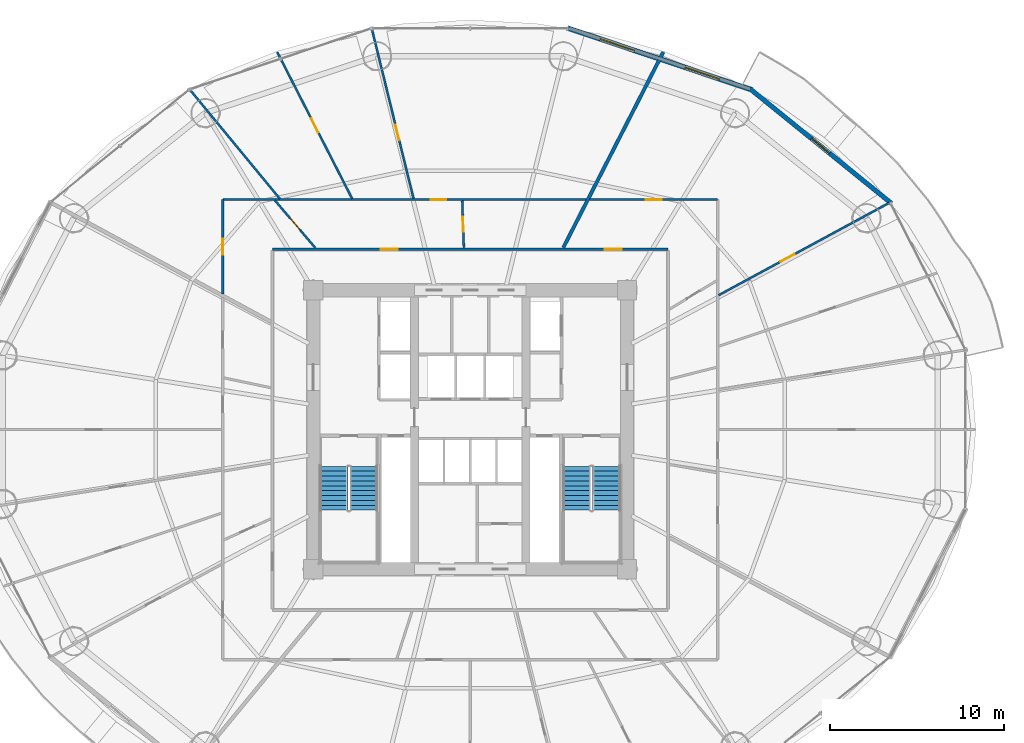
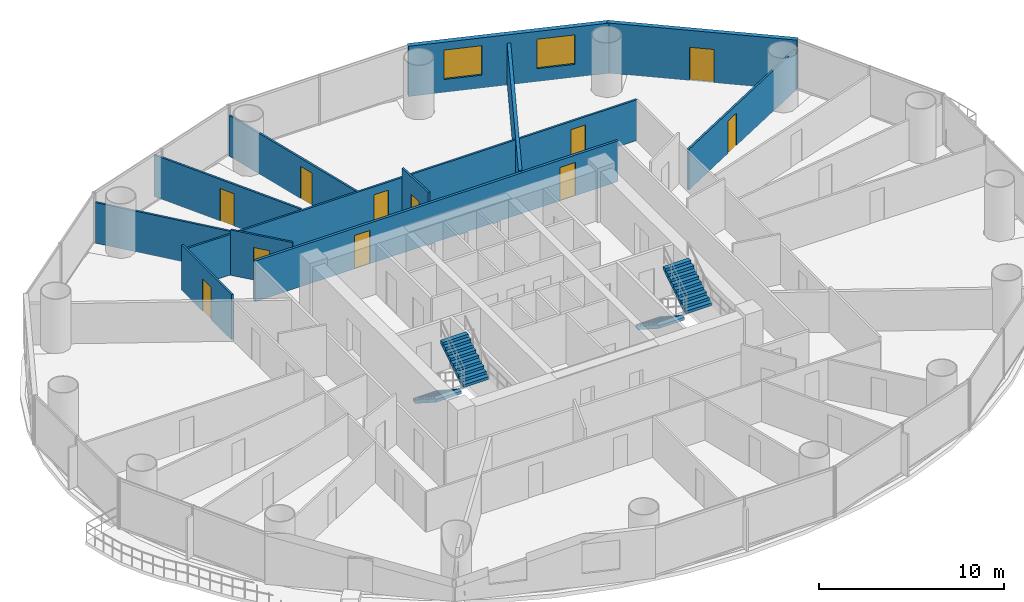
# One storey, part 25 of 29: 13 walls, 11 doors, 4 stair flights, 2 windows, 13 openings, 2 elements without a shape of their own.
"""IFC4 building model written with IfcOpenShell, lengths in metres."""

from ifc_helpers import new_model, si_unit, direction, frame, frame_2d, origin, place, context, subcontext, project, spatial, polyline, rectangle, outline, extrude, source, transform, mapped, material, layer, layer_set, type_object, element, fill, aggregate, save


model = new_model("IFC4")

# Units and contexts
model_context = context("Model", 3, precision=1e-05, world=origin(), true_north=direction((-0.2419218956, 0.970295726276)))
body_context = subcontext(model_context, "Body", "Model", "MODEL_VIEW")
ifc_project = project(units=[si_unit("LENGTHUNIT", "METRE"), si_unit("AREAUNIT", "SQUARE_METRE"), si_unit("VOLUMEUNIT", "CUBIC_METRE"), si_unit("PLANEANGLEUNIT", "RADIAN"), si_unit("MASSUNIT", "GRAM", prefix="KILO")], contexts=[model_context])

# Site, building, storey
site_placement = place(None, origin())
site = spatial("IfcSite", under=ifc_project, at=site_placement, CompositionType="ELEMENT")
building_placement = place(site_placement, origin())
building = spatial("IfcBuilding", under=site, at=building_placement, Name="Cobrevalo Terracotta Tower", CompositionType="ELEMENT")
storey_placement = place(building_placement, frame((0.0, 0.0, 45.60009765625)))
storey = spatial("IfcBuildingStorey", under=building, at=storey_placement, Name="L11", CompositionType="ELEMENT", Elevation=45.60009765625)

# Wall, openings, doors
ifc_material_1 = material(Name="Gypsum board on steel stud", Category="steel")
ifc_layer_1 = layer(ifc_material_1, 0.159912109375)
ifc_layer_set_1 = layer_set([ifc_layer_1], Name="Gypsum board on steel stud")
wall_type_1 = type_object("IfcWallType", Name="Fire-rated corridor acoustic partition wall 160 mm", PredefinedType="PARTITIONING", material=ifc_layer_set_1)
wall_1_placement = place(storey_placement, frame((26.64501953125, 37.155029296875, 0.0), z_axis=(0.0, 0.0, 1.0), x_axis=(1.0, 0.0, 0.0)))
wall_1 = element("IfcWall", 1, at=wall_1_placement, inside=storey, type_object=wall_type_1, Name="L11 interior partition IW-L11-COR-N", PredefinedType="PARTITIONING", context=body_context, shape_type="SweptSolid", body=[
    extrude(rectangle(XDim=22.7099609375, YDim=0.159912109375, at=frame_2d((11.35498046875, 0.0))), origin(), (0.0, 0.0, 1.0), 2.68798828125),
])
opening_1_placement = place(wall_1_placement, frame((19.075439453125, 0.0, 0.0)))
opening_1 = element("IfcOpeningElement", 2, at=opening_1_placement, cuts=wall_1, Name="Opening ID-05", PredefinedType="OPENING", context=body_context, shape_type="SweptSolid", body=[
    extrude(rectangle(XDim=0.97998046875, YDim=2.199951171875, at=frame_2d((0.489990234375, 1.10009765625))), frame((0.0, 0.08984375, 0.0), z_axis=(0.0, -1.0, 0.0), x_axis=(1.0, 0.0, 0.0)), (0.0, 0.0, 1.0), 0.179931640625),
])
opening_2_placement = place(wall_1_placement, frame((6.221435546875, 0.0, 0.0)))
opening_2 = element("IfcOpeningElement", 3, at=opening_2_placement, cuts=wall_1, Name="Opening ID-05", PredefinedType="OPENING", context=body_context, shape_type="SweptSolid", body=[
    extrude(rectangle(XDim=0.97998046875, YDim=2.199951171875, at=frame_2d((0.489990234375, 1.10009765625))), frame((0.0, 0.08984375, 0.0), z_axis=(0.0, -1.0, 0.0), x_axis=(1.0, 0.0, 0.0)), (0.0, 0.0, 1.0), 0.179931640625),
])
ifc_material_2 = material(Name="Solid hardwood timber", Category="wood")
door_type_1 = type_object("IfcDoorType", Name="Residence entrance fire-rated acoustic timber door 980x2200 EI 60", OperationType="NOTDEFINED", PredefinedType="DOOR", material=ifc_material_2)
shared_shape_1 = source(origin(), body_context, "Body", "SweptSolid", [
    extrude(rectangle(XDim=0.97998046875, YDim=2.199951171875, at=frame_2d((0.489990234375, 1.10009765625))), frame((0.0, 0.02490234375, 0.0), z_axis=(0.0, -1.0, 0.0), x_axis=(1.0, 0.0, 0.0)), (0.0, 0.0, 1.0), 0.050048828125),
])
door_1_placement = place(opening_1_placement, frame((0.97998046875, 0.0, 0.0), z_axis=(0.0, 0.0, 1.0), x_axis=(-1.0, 0.0, 0.0)))
door_1 = element("IfcDoor", 4, at=door_1_placement, inside=storey, type_object=door_type_1, Name="Flat L11A fire-rated apartment entrance door", OperationType="SINGLE_SWING_LEFT", OverallHeight=2.199951171875, OverallWidth=0.97998046875, PredefinedType="DOOR", context=body_context, shape_type="MappedRepresentation", body=[
    mapped(shared_shape_1, transform((0.0, 0.0, 0.0), scale=1.0)),
])
fill(opening_1, door_1)
door_2_placement = place(opening_2_placement, origin())
door_2 = element("IfcDoor", 5, at=door_2_placement, inside=storey, type_object=door_type_1, Name="Flat L11B fire-rated apartment entrance door", OperationType="SINGLE_SWING_RIGHT", OverallHeight=2.199951171875, OverallWidth=0.97998046875, PredefinedType="DOOR", context=body_context, shape_type="MappedRepresentation", body=[
    mapped(shared_shape_1, transform((0.0, 0.0, 0.0), scale=1.0)),
])
fill(opening_2, door_2)

# Wall
ifc_material_3 = material(Name="Autoclaved aerated concrete block", Category="concrete")
ifc_layer_2 = layer(ifc_material_3, 0.199951171875)
ifc_layer_set_2 = layer_set([ifc_layer_2], Name="Autoclaved aerated concrete block")
wall_type_2 = type_object("IfcWallType", Name="Fire-rated stair, shaft & demising masonry wall 200 mm", PredefinedType="PARTITIONING", material=ifc_layer_set_2)
wall_2_placement = place(storey_placement, frame((43.334716796875, 37.23681640625, 0.0), z_axis=(0.0, 0.0, 1.0), x_axis=(0.455148959499, 0.890415310216, 0.0)))
element("IfcWall", 6, at=wall_2_placement, inside=storey, type_object=wall_type_2, Name="L11 interior partition IW-L11-DEM-2", PredefinedType="PARTITIONING", context=body_context, shape_type="SweptSolid", body=[
    extrude(rectangle(XDim=12.598388671875, YDim=0.199951171875, at=frame_2d((6.29931640625, 0.0))), origin(), (0.0, 0.0, 1.0), 2.761962890625),
])

# Wall, openings, windows
ifc_layer_3 = layer(ifc_material_3, 0.280029296875)
ifc_layer_set_3 = layer_set([ifc_layer_3], Name="Autoclaved aerated concrete block")
wall_type_3 = type_object("IfcWallType", Name="Insulated tower spandrel & pier wall 280 mm with terracotta rainscreen", PredefinedType="SOLIDWALL", material=ifc_layer_set_3)
wall_3_placement = place(storey_placement, frame((54.170654296875, 46.2890625, 0.0), z_axis=(0.0, 0.0, 1.0), x_axis=(-0.948041258496, 0.318147406385, 0.0)))
wall_3 = element("IfcWall", 7, at=wall_3_placement, inside=storey, type_object=wall_type_3, Name="L11 terracotta rainscreen pier wall S03", PredefinedType="SOLIDWALL", context=body_context, shape_type="SweptSolid", body=[
    extrude(rectangle(XDim=11.17529296875, YDim=0.280029296875, at=frame_2d((5.587646484375, 0.0))), origin(), (0.0, 0.0, 1.0), 3.31982421875),
])
opening_3_placement = place(wall_3_placement, frame((1.96728515625, 0.0, 0.85009765625)))
opening_3 = element("IfcOpeningElement", 8, at=opening_3_placement, cuts=wall_3, Name="Opening WN-10", PredefinedType="OPENING", context=body_context, shape_type="SweptSolid", body=[
    extrude(rectangle(XDim=2.10009765625, YDim=1.949951171875, at=frame_2d((1.050048828125, 0.97509765625))), frame((0.0, 0.14990234375, 0.0), z_axis=(0.0, -1.0, 0.0), x_axis=(1.0, 0.0, 0.0)), (0.0, 0.0, 1.0), 0.300048828125),
])
opening_4_placement = place(wall_3_placement, frame((7.108154296875, 0.0, 0.85009765625)))
opening_4 = element("IfcOpeningElement", 9, at=opening_4_placement, cuts=wall_3, Name="Opening WN-10", PredefinedType="OPENING", context=body_context, shape_type="SweptSolid", body=[
    extrude(rectangle(XDim=2.10009765625, YDim=1.949951171875, at=frame_2d((1.050048828125, 0.97509765625))), frame((0.0, 0.14990234375, 0.0), z_axis=(0.0, -1.0, 0.0), x_axis=(1.0, 0.0, 0.0)), (0.0, 0.0, 1.0), 0.300048828125),
])
ifc_material_4 = material(Name="Solar-control low-E double glazing", Category="glass")
window_type = type_object("IfcWindowType", Name="Wide panoramic low-E aluminium window 2100x1950", PartitioningType="SINGLE_PANEL", PredefinedType="WINDOW", material=ifc_material_4)
shared_shape_2 = source(origin(), body_context, "Body", "SweptSolid", [
    extrude(rectangle(XDim=2.10009765625, YDim=1.949951171875, at=frame_2d((1.050048828125, 0.97509765625))), frame((0.0, 0.030029296875, 0.0), z_axis=(0.0, -1.0, 0.0), x_axis=(1.0, 0.0, 0.0)), (0.0, 0.0, 1.0), 0.06005859375),
])
window_1_placement = place(opening_3_placement, origin())
window_1 = element("IfcWindow", 10, at=window_1_placement, inside=storey, type_object=window_type, Name="L11 suite window S03A", OverallHeight=1.949951171875, OverallWidth=2.10009765625, PartitioningType="SINGLE_PANEL", PredefinedType="WINDOW", context=body_context, shape_type="MappedRepresentation", body=[
    mapped(shared_shape_2, transform((0.0, 0.0, 0.0), scale=1.0)),
])
fill(opening_3, window_1)
window_2_placement = place(opening_4_placement, origin())
window_2 = element("IfcWindow", 11, at=window_2_placement, inside=storey, type_object=window_type, Name="L11 suite window S03B", OverallHeight=1.949951171875, OverallWidth=2.10009765625, PartitioningType="SINGLE_PANEL", PredefinedType="WINDOW", context=body_context, shape_type="MappedRepresentation", body=[
    mapped(shared_shape_2, transform((0.0, 0.0, 0.0), scale=1.0)),
])
fill(opening_4, window_2)

# Wall, opening, door
ifc_layer_4 = layer(ifc_material_3, 0.260009765625)
ifc_layer_set_4 = layer_set([ifc_layer_4], Name="Autoclaved aerated concrete block")
wall_type_4 = type_object("IfcWallType", Name="Recessed balcony loggia insulated exterior wall 260 mm", PredefinedType="SOLIDWALL", material=ifc_layer_set_4)
wall_4_placement = place(storey_placement, frame((62.14990234375, 39.788818359375, 0.0), z_axis=(0.0, 0.0, 1.0), x_axis=(-0.777005352078, 0.62949398952, 0.0)))
wall_4 = element("IfcWall", 12, at=wall_4_placement, inside=storey, type_object=wall_type_4, Name="L11 balcony loggia wall S02", PredefinedType="SOLIDWALL", context=body_context, shape_type="SweptSolid", body=[
    extrude(rectangle(XDim=10.44677734375, YDim=0.260009765625, at=frame_2d((5.223388671875, 0.0))), origin(), (0.0, 0.0, 1.0), 3.31982421875),
])
opening_5_placement = place(wall_4_placement, frame((4.54833984375, 0.0, 0.0)))
opening_5 = element("IfcOpeningElement", 13, at=opening_5_placement, cuts=wall_4, Name="Opening ED-05", PredefinedType="OPENING", context=body_context, shape_type="SweptSolid", body=[
    extrude(rectangle(XDim=1.35009765625, YDim=2.199951171875, at=frame_2d((0.675048828125, 1.10009765625))), frame((0.0, 0.14013671875, 0.0), z_axis=(0.0, -1.0, 0.0), x_axis=(1.0, 0.0, 0.0)), (0.0, 0.0, 1.0), 0.280029296875),
])
ifc_material_5 = material(Name="Anodized aluminium and laminated glass", Category="aluminium")
door_type_2 = type_object("IfcDoorType", Name="Suite balcony acoustic glazed terrace door 1350x2200", OperationType="NOTDEFINED", PredefinedType="DOOR", material=ifc_material_5)
shared_shape_3 = source(origin(), body_context, "Body", "SweptSolid", [
    extrude(rectangle(XDim=1.35009765625, YDim=2.199951171875, at=frame_2d((0.675048828125, 1.10009765625))), frame((0.0, 0.02490234375, 0.0), z_axis=(0.0, -1.0, 0.0), x_axis=(1.0, 0.0, 0.0)), (0.0, 0.0, 1.0), 0.050048828125),
])
door_3_placement = place(opening_5_placement, frame((1.35009765625, 0.0, 0.0), z_axis=(0.0, 0.0, 1.0), x_axis=(-1.0, 0.0, 0.0)))
door_3 = element("IfcDoor", 14, at=door_3_placement, inside=storey, type_object=door_type_2, Name="L11 glazed balcony terrace door 1", OperationType="SINGLE_SWING_LEFT", OverallHeight=2.199951171875, OverallWidth=1.35009765625, PredefinedType="DOOR", context=body_context, shape_type="MappedRepresentation", body=[
    mapped(shared_shape_3, transform((0.0, 0.0, 0.0), scale=1.0)),
])
fill(opening_5, door_3)

ifc_layer_5 = layer(ifc_material_1, 0.1201171875)
ifc_layer_set_5 = layer_set([ifc_layer_5], Name="Gypsum board on steel stud")
wall_type_5 = type_object("IfcWallType", Name="Residential internal acoustic stud partition 120 mm", PredefinedType="PARTITIONING", material=ifc_layer_set_5)
wall_5_placement = place(storey_placement, frame((44.8466796875, 39.9951171875, 0.0), z_axis=(0.0, 0.0, 1.0), x_axis=(1.0, 0.0, 0.0)))
wall_5 = element("IfcWall", 15, at=wall_5_placement, inside=storey, type_object=wall_type_5, Name="L11 interior partition IW-L11-U1-RING0_0", PredefinedType="PARTITIONING", context=body_context, shape_type="SweptSolid", body=[
    extrude(rectangle(XDim=7.348388671875, YDim=0.1201171875, at=frame_2d((3.67431640625, 0.0))), origin(), (0.0, 0.0, 1.0), 2.68798828125),
])
opening_6_placement = place(wall_5_placement, frame((3.22412109375, 0.0, 0.0)))
opening_6 = element("IfcOpeningElement", 16, at=opening_6_placement, cuts=wall_5, Name="Opening ID-12", PredefinedType="OPENING", context=body_context, shape_type="SweptSolid", body=[
    extrude(rectangle(XDim=0.89990234375, YDim=2.14990234375, at=frame_2d((0.449951171875, 1.074951171875))), frame((0.0, 0.070068359375, 0.0), z_axis=(0.0, -1.0, 0.0), x_axis=(1.0, 0.0, 0.0)), (0.0, 0.0, 1.0), 0.14013671875),
])
ifc_material_6 = material(Name="Engineered timber", Category="wood")
door_type_3 = type_object("IfcDoorType", Name="Internal residence & suite timber door 900x2150", OperationType="NOTDEFINED", PredefinedType="DOOR", material=ifc_material_6)
shared_shape_4 = source(origin(), body_context, "Body", "SweptSolid", [
    extrude(rectangle(XDim=0.89990234375, YDim=2.14990234375, at=frame_2d((0.449951171875, 1.074951171875))), frame((0.0, 0.02490234375, 0.0), z_axis=(0.0, -1.0, 0.0), x_axis=(1.0, 0.0, 0.0)), (0.0, 0.0, 1.0), 0.050048828125),
])
door_4_placement = place(opening_6_placement, origin())
door_4 = element("IfcDoor", 17, at=door_4_placement, inside=storey, type_object=door_type_3, Name="Flat L11A Penthouse Family Lounge internal door", OperationType="SINGLE_SWING_LEFT", OverallHeight=2.14990234375, OverallWidth=0.89990234375, PredefinedType="DOOR", context=body_context, shape_type="MappedRepresentation", body=[
    mapped(shared_shape_4, transform((0.0, 0.0, 0.0), scale=1.0)),
])
fill(opening_6, door_4)

wall_6_placement = place(storey_placement, frame((52.24951171875, 34.515380859375, 0.0), z_axis=(0.0, 0.0, 1.0), x_axis=(0.879370672984, 0.476137815654, 0.0)))
wall_6 = element("IfcWall", 18, at=wall_6_placement, inside=storey, type_object=wall_type_5, Name="L11 interior partition IW-L11-U1-ORAD3", PredefinedType="PARTITIONING", context=body_context, shape_type="SweptSolid", body=[
    extrude(rectangle(XDim=11.094482421875, YDim=0.1201171875, at=frame_2d((5.54736328125, 0.0))), origin(), (0.0, 0.0, 1.0), 2.68798828125),
])
opening_7_placement = place(wall_6_placement, frame((4.0341796875, 0.0, 0.0)))
opening_7 = element("IfcOpeningElement", 19, at=opening_7_placement, cuts=wall_6, Name="Opening ID-12", PredefinedType="OPENING", context=body_context, shape_type="SweptSolid", body=[
    extrude(rectangle(XDim=0.89990234375, YDim=2.14990234375, at=frame_2d((0.449951171875, 1.074951171875))), frame((0.0, 0.070068359375, 0.0), z_axis=(0.0, -1.0, 0.0), x_axis=(1.0, 0.0, 0.0)), (0.0, 0.0, 1.0), 0.14013671875),
])
door_5_placement = place(opening_7_placement, frame((0.89990234375, 0.0, 0.0), z_axis=(0.0, 0.0, 1.0), x_axis=(-1.0, 0.0, 0.0)))
door_5 = element("IfcDoor", 20, at=door_5_placement, inside=storey, type_object=door_type_3, Name="Flat L11A Principal Guest Bedroom internal door", OperationType="SINGLE_SWING_RIGHT", OverallHeight=2.14990234375, OverallWidth=0.89990234375, PredefinedType="DOOR", context=body_context, shape_type="MappedRepresentation", body=[
    mapped(shared_shape_4, transform((0.0, 0.0, 0.0), scale=1.0)),
])
fill(opening_7, door_5)

wall_7_placement = place(storey_placement, frame((23.804931640625, 34.587890625, 0.0), z_axis=(0.0, 0.0, 1.0), x_axis=(0.0, 1.0, 0.0)))
wall_7 = element("IfcWall", 21, at=wall_7_placement, inside=storey, type_object=wall_type_5, Name="L11 interior partition IW-L11-U2-RING0_0", PredefinedType="PARTITIONING", context=body_context, shape_type="SweptSolid", body=[
    extrude(rectangle(XDim=5.4072265625, YDim=0.1201171875, at=frame_2d((2.70361328125, 0.0))), origin(), (0.0, 0.0, 1.0), 2.9990234375),
])
opening_8_placement = place(wall_7_placement, frame((2.25341796875, 0.0, 0.0)))
opening_8 = element("IfcOpeningElement", 22, at=opening_8_placement, cuts=wall_7, Name="Opening ID-12", PredefinedType="OPENING", context=body_context, shape_type="SweptSolid", body=[
    extrude(rectangle(XDim=0.89990234375, YDim=2.14990234375, at=frame_2d((0.449951171875, 1.074951171875))), frame((0.0, 0.070068359375, 0.0), z_axis=(0.0, -1.0, 0.0), x_axis=(1.0, 0.0, 0.0)), (0.0, 0.0, 1.0), 0.14013671875),
])
door_6_placement = place(opening_8_placement, origin())
door_6 = element("IfcDoor", 23, at=door_6_placement, inside=storey, type_object=door_type_3, Name="Flat L11B Penthouse Family Lounge internal door", OperationType="SINGLE_SWING_RIGHT", OverallHeight=2.14990234375, OverallWidth=0.89990234375, PredefinedType="DOOR", context=body_context, shape_type="MappedRepresentation", body=[
    mapped(shared_shape_4, transform((0.0, 0.0, 0.0), scale=1.0)),
])
fill(opening_8, door_6)

wall_8_placement = place(storey_placement, frame((23.804931640625, 39.9951171875, 0.0), z_axis=(0.0, 0.0, 1.0), x_axis=(1.0, 0.0, 0.0)))
wall_8 = element("IfcWall", 24, at=wall_8_placement, inside=storey, type_object=wall_type_5, Name="L11 interior partition IW-L11-U2-RING1_0", PredefinedType="PARTITIONING", context=body_context, shape_type="SweptSolid", body=[
    extrude(rectangle(XDim=20.837890625, YDim=0.1201171875, at=frame_2d((10.4189453125, 0.0))), origin(), (0.0, 0.0, 1.0), 2.68798828125),
])
opening_9_placement = place(wall_8_placement, frame((11.93115234375, 0.0, 0.0)))
opening_9 = element("IfcOpeningElement", 25, at=opening_9_placement, cuts=wall_8, Name="Opening ID-12", PredefinedType="OPENING", context=body_context, shape_type="SweptSolid", body=[
    extrude(rectangle(XDim=0.89990234375, YDim=2.14990234375, at=frame_2d((0.449951171875, 1.074951171875))), frame((0.0, 0.070068359375, 0.0), z_axis=(0.0, -1.0, 0.0), x_axis=(1.0, 0.0, 0.0)), (0.0, 0.0, 1.0), 0.14013671875),
])
door_7_placement = place(opening_9_placement, origin())
door_7 = element("IfcDoor", 26, at=door_7_placement, inside=storey, type_object=door_type_3, Name="Flat L11B Penthouse Living and Dining Room internal door", OperationType="SINGLE_SWING_RIGHT", OverallHeight=2.14990234375, OverallWidth=0.89990234375, PredefinedType="DOOR", context=body_context, shape_type="MappedRepresentation", body=[
    mapped(shared_shape_4, transform((0.0, 0.0, 0.0), scale=1.0)),
])
fill(opening_9, door_7)

wall_9_placement = place(storey_placement, frame((34.746337890625, 40.05517578125, 0.0), z_axis=(0.0, 0.0, 1.0), x_axis=(-0.238386209483, 0.971170435675, 0.0)))
wall_9 = element("IfcWall", 27, at=wall_9_placement, inside=storey, type_object=wall_type_5, Name="L11 interior partition IW-L11-U2-ORAD1", PredefinedType="PARTITIONING", context=body_context, shape_type="SweptSolid", body=[
    extrude(rectangle(XDim=9.97314453125, YDim=0.1201171875, at=frame_2d((4.986572265625, 0.0))), origin(), (0.0, 0.0, 1.0), 2.68798828125),
])
opening_10_placement = place(wall_9_placement, frame((3.46142578125, 0.0, 0.0)))
opening_10 = element("IfcOpeningElement", 28, at=opening_10_placement, cuts=wall_9, Name="Opening ID-12", PredefinedType="OPENING", context=body_context, shape_type="SweptSolid", body=[
    extrude(rectangle(XDim=0.89990234375, YDim=2.14990234375, at=frame_2d((0.449951171875, 1.074951171875))), frame((0.0, 0.070068359375, 0.0), z_axis=(0.0, -1.0, 0.0), x_axis=(1.0, 0.0, 0.0)), (0.0, 0.0, 1.0), 0.14013671875),
])
door_8_placement = place(opening_10_placement, origin())
door_8 = element("IfcDoor", 29, at=door_8_placement, inside=storey, type_object=door_type_3, Name="Flat L11B Master Bedroom internal door", OperationType="SINGLE_SWING_LEFT", OverallHeight=2.14990234375, OverallWidth=0.89990234375, PredefinedType="DOOR", context=body_context, shape_type="MappedRepresentation", body=[
    mapped(shared_shape_4, transform((0.0, 0.0, 0.0), scale=1.0)),
])
fill(opening_10, door_8)

wall_10_placement = place(storey_placement, frame((31.22705078125, 40.05029296875, 0.0), z_axis=(0.0, 0.0, 1.0), x_axis=(-0.455142050367, 0.890418841887, 0.0)))
wall_10 = element("IfcWall", 30, at=wall_10_placement, inside=storey, type_object=wall_type_5, Name="L11 interior partition IW-L11-U2-ORAD2M1", PredefinedType="PARTITIONING", context=body_context, shape_type="SweptSolid", body=[
    extrude(rectangle(XDim=9.4384765625, YDim=0.1201171875, at=frame_2d((4.71923828125, 0.0))), origin(), (0.0, 0.0, 1.0), 2.761962890625),
])
opening_11_placement = place(wall_10_placement, frame((4.269287109375, 0.0, 0.0)))
opening_11 = element("IfcOpeningElement", 31, at=opening_11_placement, cuts=wall_10, Name="Opening ID-12", PredefinedType="OPENING", context=body_context, shape_type="SweptSolid", body=[
    extrude(rectangle(XDim=0.89990234375, YDim=2.14990234375, at=frame_2d((0.449951171875, 1.074951171875))), frame((0.0, 0.070068359375, 0.0), z_axis=(0.0, -1.0, 0.0), x_axis=(1.0, 0.0, 0.0)), (0.0, 0.0, 1.0), 0.14013671875),
])
door_9_placement = place(opening_11_placement, origin())
door_9 = element("IfcDoor", 32, at=door_9_placement, inside=storey, type_object=door_type_3, Name="Flat L11B Principal Guest Bedroom internal door", OperationType="SINGLE_SWING_RIGHT", OverallHeight=2.14990234375, OverallWidth=0.89990234375, PredefinedType="DOOR", context=body_context, shape_type="MappedRepresentation", body=[
    mapped(shared_shape_4, transform((0.0, 0.0, 0.0), scale=1.0)),
])
fill(opening_11, door_9)

# Wall
wall_11_placement = place(storey_placement, frame((27.08056640625, 40.042724609375, 0.0), z_axis=(0.0, 0.0, 1.0), x_axis=(-0.636193310573, 0.771529695852, 0.0)))
element("IfcWall", 33, at=wall_11_placement, inside=storey, type_object=wall_type_5, Name="L11 interior partition IW-L11-U2-ORAD2", PredefinedType="PARTITIONING", context=body_context, shape_type="SweptSolid", body=[
    extrude(rectangle(XDim=8.0439453125, YDim=0.1201171875, at=frame_2d((4.02197265625, 0.0))), origin(), (0.0, 0.0, 1.0), 2.68798828125),
])

# Wall, opening, door
wall_12_placement = place(storey_placement, frame((37.634765625, 37.237060546875, 0.0), z_axis=(0.0, 0.0, 1.0), x_axis=(-0.03493293564, 0.999389658746, 0.0)))
wall_12 = element("IfcWall", 34, at=wall_12_placement, inside=storey, type_object=wall_type_5, Name="L11 interior partition IW-L11-U2-IRAD1", PredefinedType="PARTITIONING", context=body_context, shape_type="SweptSolid", body=[
    extrude(rectangle(XDim=2.69775390625, YDim=0.1201171875, at=frame_2d((1.348876953125, 0.0))), origin(), (0.0, 0.0, 1.0), 3.31982421875),
])
opening_12_placement = place(wall_12_placement, frame((0.918701171875, 0.0, 0.0)))
opening_12 = element("IfcOpeningElement", 35, at=opening_12_placement, cuts=wall_12, Name="Opening ID-19", PredefinedType="OPENING", context=body_context, shape_type="SweptSolid", body=[
    extrude(rectangle(XDim=0.860107421875, YDim=2.14990234375, at=frame_2d((0.43017578125, 1.074951171875))), frame((0.0, 0.070068359375, 0.0), z_axis=(0.0, -1.0, 0.0), x_axis=(1.0, 0.0, 0.0)), (0.0, 0.0, 1.0), 0.14013671875),
])
ifc_material_7 = material(Name="Moisture-sealed timber", Category="wood")
door_type_4 = type_object("IfcDoorType", Name="Suite bathroom internal timber door 860x2150", OperationType="NOTDEFINED", PredefinedType="DOOR", material=ifc_material_7)
shared_shape_5 = source(origin(), body_context, "Body", "SweptSolid", [
    extrude(rectangle(XDim=0.860107421875, YDim=2.14990234375, at=frame_2d((0.43017578125, 1.074951171875))), frame((0.0, 0.02490234375, 0.0), z_axis=(0.0, -1.0, 0.0), x_axis=(1.0, 0.0, 0.0)), (0.0, 0.0, 1.0), 0.050048828125),
])
door_10_placement = place(opening_12_placement, frame((0.860107421875, 0.0, 0.0), z_axis=(0.0, 0.0, 1.0), x_axis=(-1.0, 0.0, 0.0)))
door_10 = element("IfcDoor", 36, at=door_10_placement, inside=storey, type_object=door_type_4, Name="Flat L11B Primary Bathroom internal door", OperationType="SINGLE_SWING_LEFT", OverallHeight=2.14990234375, OverallWidth=0.860107421875, PredefinedType="DOOR", context=body_context, shape_type="MappedRepresentation", body=[
    mapped(shared_shape_5, transform((0.0, 0.0, 0.0), scale=1.0)),
])
fill(opening_12, door_10)

wall_13_placement = place(storey_placement, frame((29.108154296875, 37.236572265625, 0.0), z_axis=(0.0, 0.0, 1.0), x_axis=(-0.648553247009, 0.761169288526, 0.0)))
wall_13 = element("IfcWall", 37, at=wall_13_placement, inside=storey, type_object=wall_type_5, Name="L11 interior partition IW-L11-U2-IRAD2", PredefinedType="PARTITIONING", context=body_context, shape_type="SweptSolid", body=[
    extrude(rectangle(XDim=3.561767578125, YDim=0.1201171875, at=frame_2d((1.78076171875, 0.0))), origin(), (0.0, 0.0, 1.0), 2.9990234375),
])
opening_13_placement = place(wall_13_placement, frame((1.330810546875, 0.0, 0.0)))
opening_13 = element("IfcOpeningElement", 38, at=opening_13_placement, cuts=wall_13, Name="Opening ID-12", PredefinedType="OPENING", context=body_context, shape_type="SweptSolid", body=[
    extrude(rectangle(XDim=0.89990234375, YDim=2.14990234375, at=frame_2d((0.449951171875, 1.074951171875))), frame((0.0, 0.070068359375, 0.0), z_axis=(0.0, -1.0, 0.0), x_axis=(1.0, 0.0, 0.0)), (0.0, 0.0, 1.0), 0.14013671875),
])
door_11_placement = place(opening_13_placement, origin())
door_11 = element("IfcDoor", 39, at=door_11_placement, inside=storey, type_object=door_type_3, Name="Flat L11B Kitchen internal door", OperationType="SINGLE_SWING_LEFT", OverallHeight=2.14990234375, OverallWidth=0.89990234375, PredefinedType="DOOR", context=body_context, shape_type="MappedRepresentation", body=[
    mapped(shared_shape_4, transform((0.0, 0.0, 0.0), scale=1.0)),
])
fill(opening_13, door_11)

# Stair, stair flights
ifc_material_8 = material(Name="Concrete C50", Category="concrete")
stair_type = type_object("IfcStairType", Name="Core protected escape dogleg stair 1600", PredefinedType="HALF_TURN_STAIR", material=ifc_material_8)
stair_1_placement = place(storey_placement, origin())
stair_1 = element("IfcStair", 40, at=stair_1_placement, inside=storey, type_object=stair_type, Name="L11 Protected exit stair ST-1", PredefinedType="HALF_TURN_STAIR")
stair_flight_type = type_object("IfcStairFlightType", Name="Core protected escape dogleg stair 1600 flight", PredefinedType="STRAIGHT", material=ifc_material_8)
stair_flight_1_placement = place(storey_placement, frame((30.175048828125, 24.699951171875, 0.0), z_axis=(0.0, 0.0, 1.0), x_axis=(0.0, -1.0, 0.0)))
stair_flight_1 = element("IfcStairFlight", 41, at=stair_flight_1_placement, type_object=stair_flight_type, Name="ST-1 flight 1", NumberOfRisers=10, NumberOfTreads=9, PredefinedType="STRAIGHT", RiserHeight=0.18, TreadLength=0.28, context=body_context, shape_type="SweptSolid", body=[
    extrude(outline(polyline([(0.0, 0.0), (0.0, 0.179931640625), (0.280029296875, 0.179931640625), (0.280029296875, 0.360107421875), (0.56005859375, 0.360107421875), (0.56005859375, 0.5400390625), (0.840087890625, 0.5400390625), (0.840087890625, 0.719970703125), (1.1201171875, 0.719970703125), (1.1201171875, 0.89990234375), (1.39990234375, 0.89990234375), (1.39990234375, 1.080078125), (1.679931640625, 1.080078125), (1.679931640625, 1.260009765625), (1.9599609375, 1.260009765625), (1.9599609375, 1.43994140625), (2.239990234375, 1.43994140625), (2.239990234375, 1.6201171875), (2.52001953125, 1.6201171875), (2.52001953125, 1.800048828125), (2.52001953125, 1.429931640625), (0.295654296875, 0.0), (0.0, 0.0)])), frame((0.0, 0.800048828125, 0.0), z_axis=(0.0, -1.0, 0.0), x_axis=(1.0, 0.0, 0.0)), (0.0, 0.0, 1.0), 1.60009765625),
])
stair_flight_2_placement = place(storey_placement, frame((31.89501953125, 22.179931640625, 1.7998046875), z_axis=(0.0, 0.0, 1.0), x_axis=(0.0, 1.0, 0.0)))
stair_flight_2 = element("IfcStairFlight", 42, at=stair_flight_2_placement, type_object=stair_flight_type, Name="ST-1 flight 2", NumberOfRisers=10, NumberOfTreads=9, PredefinedType="STRAIGHT", RiserHeight=0.18, TreadLength=0.28, context=body_context, shape_type="SweptSolid", body=[
    extrude(outline(polyline([(0.0, 0.0), (0.0, 0.179931640625), (0.280029296875, 0.179931640625), (0.280029296875, 0.360107421875), (0.56005859375, 0.360107421875), (0.56005859375, 0.5400390625), (0.840087890625, 0.5400390625), (0.840087890625, 0.719970703125), (1.1201171875, 0.719970703125), (1.1201171875, 0.89990234375), (1.39990234375, 0.89990234375), (1.39990234375, 1.080078125), (1.679931640625, 1.080078125), (1.679931640625, 1.260009765625), (1.9599609375, 1.260009765625), (1.9599609375, 1.43994140625), (2.239990234375, 1.43994140625), (2.239990234375, 1.6201171875), (2.52001953125, 1.6201171875), (2.52001953125, 1.800048828125), (2.52001953125, 1.429931640625), (0.295654296875, 0.0), (0.0, 0.0)])), frame((0.0, 0.800048828125, 0.0), z_axis=(0.0, -1.0, 0.0), x_axis=(1.0, 0.0, 0.0)), (0.0, 0.0, 1.0), 1.60009765625),
])
aggregate(stair_1, [stair_flight_1, stair_flight_2])

stair_2_placement = place(storey_placement, origin())
stair_2 = element("IfcStair", 43, at=stair_2_placement, inside=storey, type_object=stair_type, Name="L11 Protected exit stair ST-2", PredefinedType="HALF_TURN_STAIR")
stair_flight_3_placement = place(storey_placement, frame((44.10498046875, 24.699951171875, 0.0), z_axis=(0.0, 0.0, 1.0), x_axis=(0.0, -1.0, 0.0)))
stair_flight_3 = element("IfcStairFlight", 44, at=stair_flight_3_placement, type_object=stair_flight_type, Name="ST-2 flight 1", NumberOfRisers=10, NumberOfTreads=9, PredefinedType="STRAIGHT", RiserHeight=0.18, TreadLength=0.28, context=body_context, shape_type="SweptSolid", body=[
    extrude(outline(polyline([(0.0, 0.0), (0.0, 0.179931640625), (0.280029296875, 0.179931640625), (0.280029296875, 0.360107421875), (0.56005859375, 0.360107421875), (0.56005859375, 0.5400390625), (0.840087890625, 0.5400390625), (0.840087890625, 0.719970703125), (1.1201171875, 0.719970703125), (1.1201171875, 0.89990234375), (1.39990234375, 0.89990234375), (1.39990234375, 1.080078125), (1.679931640625, 1.080078125), (1.679931640625, 1.260009765625), (1.9599609375, 1.260009765625), (1.9599609375, 1.43994140625), (2.239990234375, 1.43994140625), (2.239990234375, 1.6201171875), (2.52001953125, 1.6201171875), (2.52001953125, 1.800048828125), (2.52001953125, 1.429931640625), (0.295654296875, 0.0), (0.0, 0.0)])), frame((0.0, 0.800048828125, 0.0), z_axis=(0.0, -1.0, 0.0), x_axis=(1.0, 0.0, 0.0)), (0.0, 0.0, 1.0), 1.60009765625),
])
stair_flight_4_placement = place(storey_placement, frame((45.824951171875, 22.179931640625, 1.7998046875), z_axis=(0.0, 0.0, 1.0), x_axis=(0.0, 1.0, 0.0)))
stair_flight_4 = element("IfcStairFlight", 45, at=stair_flight_4_placement, type_object=stair_flight_type, Name="ST-2 flight 2", NumberOfRisers=10, NumberOfTreads=9, PredefinedType="STRAIGHT", RiserHeight=0.18, TreadLength=0.28, context=body_context, shape_type="SweptSolid", body=[
    extrude(outline(polyline([(0.0, 0.0), (0.0, 0.179931640625), (0.280029296875, 0.179931640625), (0.280029296875, 0.360107421875), (0.56005859375, 0.360107421875), (0.56005859375, 0.5400390625), (0.840087890625, 0.5400390625), (0.840087890625, 0.719970703125), (1.1201171875, 0.719970703125), (1.1201171875, 0.89990234375), (1.39990234375, 0.89990234375), (1.39990234375, 1.080078125), (1.679931640625, 1.080078125), (1.679931640625, 1.260009765625), (1.9599609375, 1.260009765625), (1.9599609375, 1.43994140625), (2.239990234375, 1.43994140625), (2.239990234375, 1.6201171875), (2.52001953125, 1.6201171875), (2.52001953125, 1.800048828125), (2.52001953125, 1.429931640625), (0.295654296875, 0.0), (0.0, 0.0)])), frame((0.0, 0.800048828125, 0.0), z_axis=(0.0, -1.0, 0.0), x_axis=(1.0, 0.0, 0.0)), (0.0, 0.0, 1.0), 1.60009765625),
])
aggregate(stair_2, [stair_flight_3, stair_flight_4])

save(model, "model.ifc")
